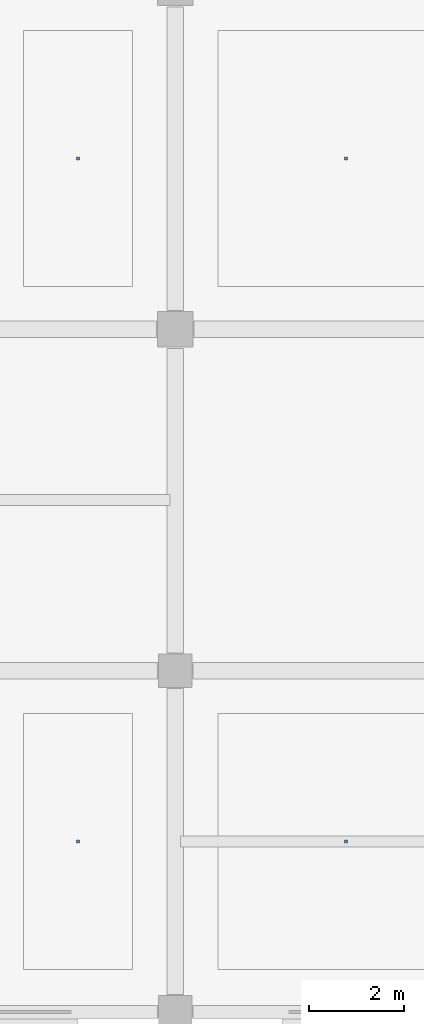
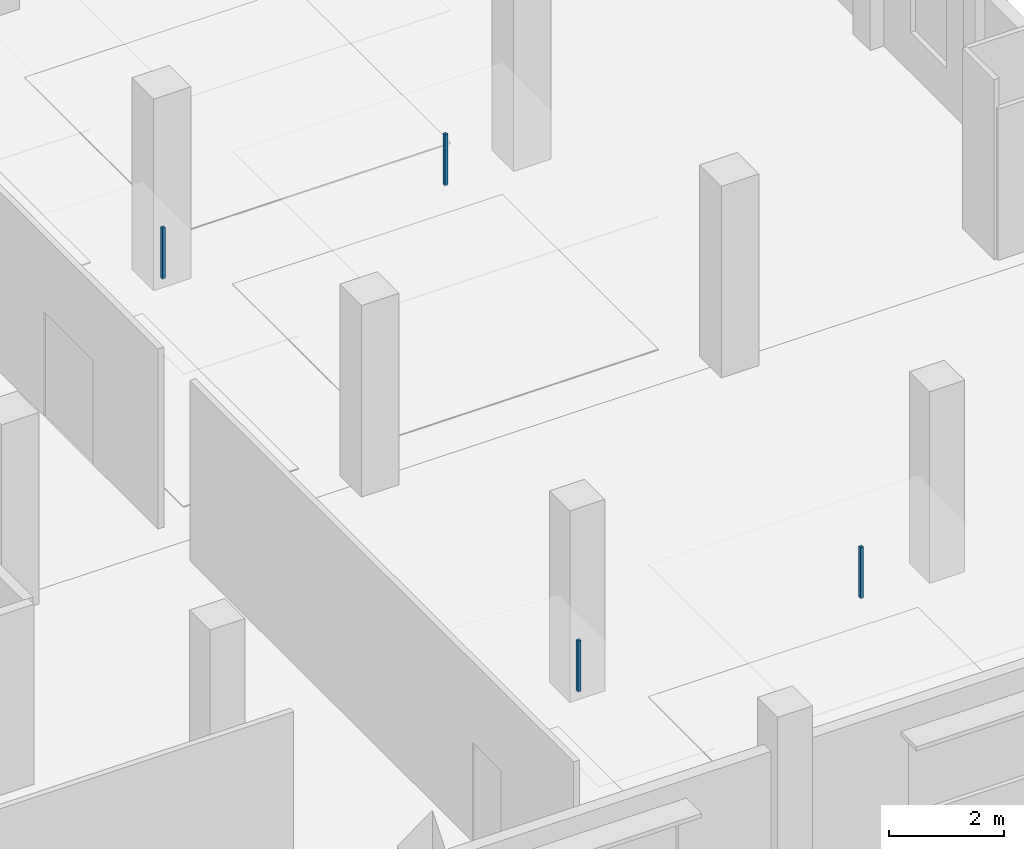
# One storey, part 99 of 108: 4 discrete accessories.
"""IFC4 building model written with IfcOpenShell, lengths in metres."""

from ifc_helpers import new_model, si_unit, direction, frame, origin, origin_2d, place, context, subcontext, project, spatial, rectangle, extrude, material, type_object, element, save


model = new_model("IFC4")

# Units and contexts
model_context = context("Model", 3, precision=1e-05, world=origin(), true_north=direction((0.0, 1.0)))
body_context = subcontext(model_context, "Body", "Model", "MODEL_VIEW")
ifc_project = project(units=[si_unit("LENGTHUNIT", "METRE"), si_unit("AREAUNIT", "SQUARE_METRE"), si_unit("VOLUMEUNIT", "CUBIC_METRE"), si_unit("PLANEANGLEUNIT", "RADIAN"), si_unit("MASSUNIT", "GRAM", prefix="KILO")], contexts=[model_context])

# Site, building, storey
site_placement = place(None, origin())
site = spatial("IfcSite", under=ifc_project, at=site_placement, CompositionType="ELEMENT")
building_placement = place(site_placement, origin())
building = spatial("IfcBuilding", under=site, at=building_placement, Name="Kangsadwip Square Police Headquarters", CompositionType="ELEMENT")
storey_placement = place(building_placement, frame((0.0, 0.0, 9.449951171875)))
storey = spatial("IfcBuildingStorey", under=building, at=storey_placement, Name="L02", CompositionType="ELEMENT", Elevation=9.449951171875)

# Discrete accessories
ifc_material = material(Name="Structural steel IS 2062 E350 (Grade 350, 350 MPa)", Category="steel")
discrete_accessory_type = type_object("IfcDiscreteAccessoryType", Name="VeilOutriggerBracket", PredefinedType="BRACKET", material=ifc_material)
for number, where, z_axis, x_axis, name in (
    (1, (149.14990234375, 39.60009765625, 2.81005859375), (0.0, 0.0, 1.0), (1.0, 0.0, 0.0), "Ceiling Suspension Hanger L02-081"),
    (2, (154.800048828125, 39.60009765625, 2.81005859375), (0.0, 0.0, 1.0), (1.0, 0.0, 0.0), "Ceiling Suspension Hanger L02-082"),
    (3, (149.14990234375, 25.199951171875, 2.81005859375), (0.0, 0.0, 1.0), (1.0, 0.0, 0.0), "Ceiling Suspension Hanger L02-089"),
    (4, (154.800048828125, 25.199951171875, 2.81005859375), (0.0, 0.0, 1.0), (1.0, 0.0, 0.0), "Ceiling Suspension Hanger L02-090"),
):
    element("IfcDiscreteAccessory", number, at=place(storey_placement, frame(where, z_axis=z_axis, x_axis=x_axis)), inside=storey, type_object=discrete_accessory_type, Name=name, PredefinedType="BRACKET", context=body_context, shape_type="SweptSolid", body=[
        extrude(rectangle(XDim=0.06005859375, YDim=0.06005859375, at=origin_2d()), origin(), (0.0, 0.0, 1.0), 1.080078125),
    ])

save(model, "model.ifc")
